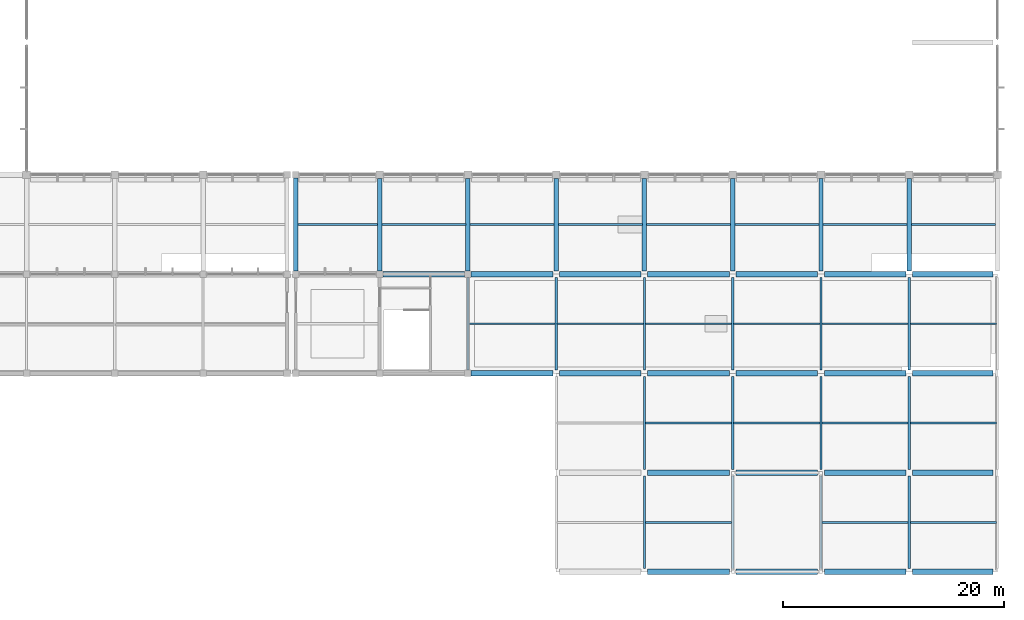
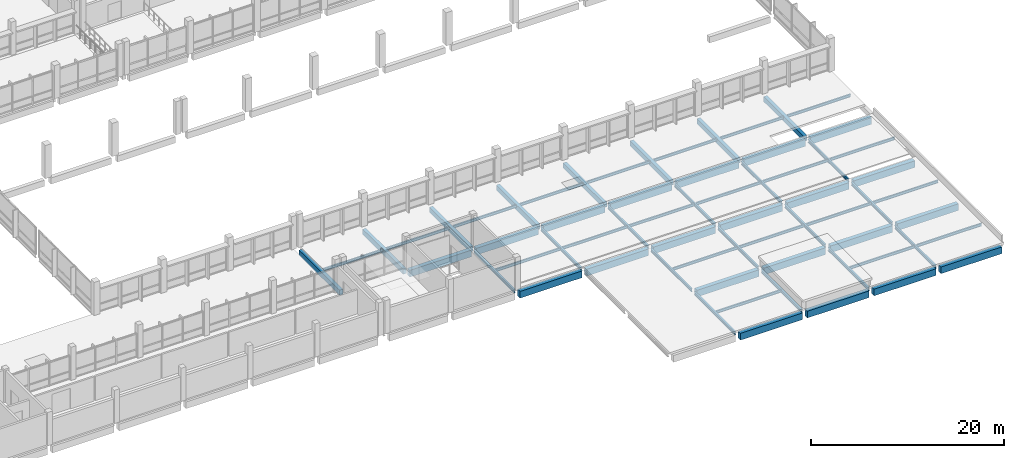
# One storey, part 31 of 70: 64 beams.
"""IFC4 building model written with IfcOpenShell, lengths in metres."""

from ifc_helpers import new_model, si_unit, direction, frame, origin, origin_2d, place, context, subcontext, project, spatial, rectangle, i_section, extrude, material, material_profile, profile_set, type_object, element, save


model = new_model("IFC4")

# Units and contexts
model_context = context("Model", 3, precision=1e-05, world=origin(), true_north=direction((0.0, 1.0)))
body_context = subcontext(model_context, "Body", "Model", "MODEL_VIEW")
ifc_project = project(units=[si_unit("LENGTHUNIT", "METRE"), si_unit("AREAUNIT", "SQUARE_METRE"), si_unit("VOLUMEUNIT", "CUBIC_METRE"), si_unit("PLANEANGLEUNIT", "RADIAN"), si_unit("MASSUNIT", "GRAM", prefix="KILO"), si_unit("THERMODYNAMICTEMPERATUREUNIT", "KELVIN"), si_unit("POWERUNIT", "WATT")], contexts=[model_context])

# Site, building, storey
site_placement = place(None, origin())
site = spatial("IfcSite", under=ifc_project, at=site_placement, CompositionType="ELEMENT")
building_placement = place(site_placement, origin())
building = spatial("IfcBuilding", under=site, at=building_placement, Name="Kronsvod Quay Wholesale Market", CompositionType="ELEMENT")
storey_placement = place(building_placement, frame((0.0, 0.0, 9.0)))
storey = spatial("IfcBuildingStorey", under=building, at=storey_placement, Name="L02", CompositionType="ELEMENT", Elevation=9.0)

# Beams
ifc_material_1 = material(Name="Precast concrete C40/50", Category="concrete")
ifc_material_profile_1 = material_profile(ifc_material_1, rectangle(XDim=0.39990234375, YDim=0.64990234375, at=origin_2d()), Name="PCB400x650")
ifc_profile_set_1 = profile_set([ifc_material_profile_1], Name="Precast concrete C40/50")
beam_type_1 = type_object("IfcBeamType", Name="Beam_PCB400x650", PredefinedType="BEAM", material=ifc_profile_set_1)
beam_1_placement = place(storey_placement, frame((128.39990234375, 45.300048828125, -0.635009765625), z_axis=(0.0, 1.0, 0.0), x_axis=(-1.0, 0.0, 0.0)))
element("IfcBeam", 1, at=beam_1_placement, inside=storey, type_object=beam_type_1, Name="BMY-L02-1284-450", PredefinedType="BEAM", context=body_context, shape_type="SweptSolid", body=[
    extrude(rectangle(XDim=0.39990234375, YDim=0.64990234375, at=origin_2d()), origin(), (0.0, 0.0, 1.0), 8.39990234375),
])
for number, where, z_axis, x_axis, name in (
    (2, (136.0, 45.300048828125, -0.635009765625), (0.0, 1.0, 0.0), (-1.0, 0.0, 0.0), "BMY-L02-1360-450"),
    (3, (144.0, 45.300048828125, -0.635009765625), (0.0, 1.0, 0.0), (-1.0, 0.0, 0.0), "BMY-L02-1440-450"),
    (4, (152.0, 45.300048828125, -0.635009765625), (0.0, 1.0, 0.0), (-1.0, 0.0, 0.0), "BMY-L02-1520-450"),
    (5, (160.0, 45.300048828125, -0.635009765625), (0.0, 1.0, 0.0), (-1.0, 0.0, 0.0), "BMY-L02-1600-450"),
    (6, (168.0, 45.300048828125, -0.635009765625), (0.0, 1.0, 0.0), (-1.0, 0.0, 0.0), "BMY-L02-1680-450"),
    (7, (176.0, 45.300048828125, -0.635009765625), (0.0, 1.0, 0.0), (-1.0, 0.0, 0.0), "BMY-L02-1760-450"),
    (8, (184.0, 45.300048828125, -0.635009765625), (0.0, 1.0, 0.0), (-1.0, 0.0, 0.0), "BMY-L02-1840-450"),
):
    element("IfcBeam", number, at=place(storey_placement, frame(where, z_axis=z_axis, x_axis=x_axis)), inside=storey, type_object=beam_type_1, Name=name, PredefinedType="BEAM", context=body_context, shape_type="SweptSolid", body=[
        extrude(rectangle(XDim=0.39990234375, YDim=0.64990234375, at=origin_2d()), origin(), (0.0, 0.0, 1.0), 8.349853515625),
    ])
ifc_material_2 = material(Name="Steel S355", Category="steel")
ifc_material_profile_2 = material_profile(ifc_material_2, i_section(OverallWidth=0.199951171875, OverallDepth=0.39990234375, WebThickness=0.008056640625, FlangeThickness=0.012939453125, FilletRadius=0.01611328125, at=origin_2d()), Name="40B2")
ifc_profile_set_2 = profile_set([ifc_material_profile_2], Name="Steel S355")
beam_type_2 = type_object("IfcBeamType", Name="Beam_Steel40B2", PredefinedType="BEAM", material=ifc_profile_set_2)
for number, where, z_axis, x_axis, name in (
    (9, (144.0, 36.300048828125, -0.510009765625), (0.0, 1.0, 0.0), (-1.0, 0.0, 0.0), "BMY-L02-1440-360"),
    (10, (152.0, 36.300048828125, -0.510009765625), (0.0, 1.0, 0.0), (-1.0, 0.0, 0.0), "BMY-L02-1520-360"),
    (11, (160.0, 18.300048828125, -0.510009765625), (0.0, 1.0, 0.0), (-1.0, 0.0, 0.0), "BMY-L02-1600-180"),
    (12, (160.0, 27.300048828125, -0.510009765625), (0.0, 1.0, 0.0), (-1.0, 0.0, 0.0), "BMY-L02-1600-270"),
    (13, (160.0, 36.300048828125, -0.510009765625), (0.0, 1.0, 0.0), (-1.0, 0.0, 0.0), "BMY-L02-1600-360"),
    (14, (168.0, 18.300048828125, -0.510009765625), (0.0, 1.0, 0.0), (-1.0, 0.0, 0.0), "BMY-L02-1680-180"),
    (15, (168.0, 27.300048828125, -0.510009765625), (0.0, 1.0, 0.0), (-1.0, 0.0, 0.0), "BMY-L02-1680-270"),
    (16, (168.0, 36.300048828125, -0.510009765625), (0.0, 1.0, 0.0), (-1.0, 0.0, 0.0), "BMY-L02-1680-360"),
    (17, (176.0, 18.300048828125, -0.510009765625), (0.0, 1.0, 0.0), (-1.0, 0.0, 0.0), "BMY-L02-1760-180"),
    (18, (176.0, 27.300048828125, -0.510009765625), (0.0, 1.0, 0.0), (-1.0, 0.0, 0.0), "BMY-L02-1760-270"),
    (19, (176.0, 36.300048828125, -0.510009765625), (0.0, 1.0, 0.0), (-1.0, 0.0, 0.0), "BMY-L02-1760-360"),
    (20, (184.0, 18.300048828125, -0.510009765625), (0.0, 1.0, 0.0), (-1.0, 0.0, 0.0), "BMY-L02-1840-180"),
    (21, (184.0, 27.300048828125, -0.510009765625), (0.0, 1.0, 0.0), (-1.0, 0.0, 0.0), "BMY-L02-1840-270"),
    (22, (184.0, 36.300048828125, -0.510009765625), (0.0, 1.0, 0.0), (-1.0, 0.0, 0.0), "BMY-L02-1840-360"),
):
    element("IfcBeam", number, at=place(storey_placement, frame(where, z_axis=z_axis, x_axis=x_axis)), inside=storey, type_object=beam_type_2, Name=name, PredefinedType="BEAM", context=body_context, shape_type="SweptSolid", body=[
        extrude(i_section(OverallWidth=0.199951171875, OverallDepth=0.39990234375, WebThickness=0.008056640625, FlangeThickness=0.012939453125, FilletRadius=0.01611328125, at=origin_2d()), origin(), (0.0, 0.0, 1.0), 8.39990234375),
    ])
ifc_material_3 = material(Name="Precast concrete C40/50", Category="concrete")
ifc_material_profile_3 = material_profile(ifc_material_3, rectangle(XDim=0.5, YDim=0.85009765625, at=origin_2d()), Name="PCB500x850")
ifc_profile_set_3 = profile_set([ifc_material_profile_3], Name="Precast concrete C40/50")
beam_type_3 = type_object("IfcBeamType", Name="Girder_PCB500x850", PredefinedType="T_BEAM", material=ifc_profile_set_3)
for number, where, z_axis, x_axis, name in (
    (23, (160.300048828125, 18.0, -0.735107421875), (1.0, 0.0, 0.0), (0.0, 1.0, 0.0), "BMX-L02-1600-180"),
    (24, (168.300048828125, 18.0, -0.735107421875), (1.0, 0.0, 0.0), (0.0, 1.0, 0.0), "BMX-L02-1680-180"),
    (25, (176.300048828125, 18.0, -0.735107421875), (1.0, 0.0, 0.0), (0.0, 1.0, 0.0), "BMX-L02-1760-180"),
):
    element("IfcBeam", number, at=place(storey_placement, frame(where, z_axis=z_axis, x_axis=x_axis)), inside=storey, type_object=beam_type_3, Name=name, PredefinedType="T_BEAM", context=body_context, shape_type="SweptSolid", body=[
        extrude(rectangle(XDim=0.5, YDim=0.85009765625, at=origin_2d()), origin(), (0.0, 0.0, 1.0), 7.39990234375),
    ])
beam_2_placement = place(storey_placement, frame((184.300048828125, 18.0, -0.735107421875), z_axis=(1.0, 0.0, 0.0), x_axis=(0.0, 1.0, 0.0)))
element("IfcBeam", 26, at=beam_2_placement, inside=storey, type_object=beam_type_3, Name="BMX-L02-1840-180", PredefinedType="T_BEAM", context=body_context, shape_type="SweptSolid", body=[
    extrude(rectangle(XDim=0.5, YDim=0.85009765625, at=origin_2d()), origin(), (0.0, 0.0, 1.0), 7.300048828125),
])
for number, where, z_axis, x_axis, name in (
    (27, (160.300048828125, 27.0, -0.735107421875), (1.0, 0.0, 0.0), (0.0, 1.0, 0.0), "BMX-L02-1600-270"),
    (28, (168.300048828125, 27.0, -0.735107421875), (1.0, 0.0, 0.0), (0.0, 1.0, 0.0), "BMX-L02-1680-270"),
    (29, (176.300048828125, 27.0, -0.735107421875), (1.0, 0.0, 0.0), (0.0, 1.0, 0.0), "BMX-L02-1760-270"),
):
    element("IfcBeam", number, at=place(storey_placement, frame(where, z_axis=z_axis, x_axis=x_axis)), inside=storey, type_object=beam_type_3, Name=name, PredefinedType="T_BEAM", context=body_context, shape_type="SweptSolid", body=[
        extrude(rectangle(XDim=0.5, YDim=0.85009765625, at=origin_2d()), origin(), (0.0, 0.0, 1.0), 7.39990234375),
    ])
beam_3_placement = place(storey_placement, frame((184.300048828125, 27.0, -0.735107421875), z_axis=(1.0, 0.0, 0.0), x_axis=(0.0, 1.0, 0.0)))
element("IfcBeam", 30, at=beam_3_placement, inside=storey, type_object=beam_type_3, Name="BMX-L02-1840-270", PredefinedType="T_BEAM", context=body_context, shape_type="SweptSolid", body=[
    extrude(rectangle(XDim=0.5, YDim=0.85009765625, at=origin_2d()), origin(), (0.0, 0.0, 1.0), 7.300048828125),
])
for number, where, z_axis, x_axis, name in (
    (31, (144.300048828125, 36.0, -0.735107421875), (1.0, 0.0, 0.0), (0.0, 1.0, 0.0), "BMX-L02-1440-360"),
    (32, (152.300048828125, 36.0, -0.735107421875), (1.0, 0.0, 0.0), (0.0, 1.0, 0.0), "BMX-L02-1520-360"),
    (33, (160.300048828125, 36.0, -0.735107421875), (1.0, 0.0, 0.0), (0.0, 1.0, 0.0), "BMX-L02-1600-360"),
    (34, (168.300048828125, 36.0, -0.735107421875), (1.0, 0.0, 0.0), (0.0, 1.0, 0.0), "BMX-L02-1680-360"),
    (35, (176.300048828125, 36.0, -0.735107421875), (1.0, 0.0, 0.0), (0.0, 1.0, 0.0), "BMX-L02-1760-360"),
):
    element("IfcBeam", number, at=place(storey_placement, frame(where, z_axis=z_axis, x_axis=x_axis)), inside=storey, type_object=beam_type_3, Name=name, PredefinedType="T_BEAM", context=body_context, shape_type="SweptSolid", body=[
        extrude(rectangle(XDim=0.5, YDim=0.85009765625, at=origin_2d()), origin(), (0.0, 0.0, 1.0), 7.39990234375),
    ])
beam_4_placement = place(storey_placement, frame((184.300048828125, 36.0, -0.735107421875), z_axis=(1.0, 0.0, 0.0), x_axis=(0.0, 1.0, 0.0)))
element("IfcBeam", 36, at=beam_4_placement, inside=storey, type_object=beam_type_3, Name="BMX-L02-1840-360", PredefinedType="T_BEAM", context=body_context, shape_type="SweptSolid", body=[
    extrude(rectangle(XDim=0.5, YDim=0.85009765625, at=origin_2d()), origin(), (0.0, 0.0, 1.0), 7.300048828125),
])
for number, where, z_axis, x_axis, name in (
    (37, (136.300048828125, 45.0, -0.735107421875), (1.0, 0.0, 0.0), (0.0, 1.0, 0.0), "BMX-L02-1360-450"),
    (38, (144.300048828125, 45.0, -0.735107421875), (1.0, 0.0, 0.0), (0.0, 1.0, 0.0), "BMX-L02-1440-450"),
    (39, (152.300048828125, 45.0, -0.735107421875), (1.0, 0.0, 0.0), (0.0, 1.0, 0.0), "BMX-L02-1520-450"),
    (40, (160.300048828125, 45.0, -0.735107421875), (1.0, 0.0, 0.0), (0.0, 1.0, 0.0), "BMX-L02-1600-450"),
    (41, (168.300048828125, 45.0, -0.735107421875), (1.0, 0.0, 0.0), (0.0, 1.0, 0.0), "BMX-L02-1680-450"),
    (42, (176.300048828125, 45.0, -0.735107421875), (1.0, 0.0, 0.0), (0.0, 1.0, 0.0), "BMX-L02-1760-450"),
):
    element("IfcBeam", number, at=place(storey_placement, frame(where, z_axis=z_axis, x_axis=x_axis)), inside=storey, type_object=beam_type_3, Name=name, PredefinedType="T_BEAM", context=body_context, shape_type="SweptSolid", body=[
        extrude(rectangle(XDim=0.5, YDim=0.85009765625, at=origin_2d()), origin(), (0.0, 0.0, 1.0), 7.39990234375),
    ])
beam_5_placement = place(storey_placement, frame((184.300048828125, 45.0, -0.735107421875), z_axis=(1.0, 0.0, 0.0), x_axis=(0.0, 1.0, 0.0)))
element("IfcBeam", 43, at=beam_5_placement, inside=storey, type_object=beam_type_3, Name="BMX-L02-1840-450", PredefinedType="T_BEAM", context=body_context, shape_type="SweptSolid", body=[
    extrude(rectangle(XDim=0.5, YDim=0.85009765625, at=origin_2d()), origin(), (0.0, 0.0, 1.0), 7.300048828125),
])
ifc_material_4 = material(Name="Steel S355", Category="steel")
ifc_material_profile_4 = material_profile(ifc_material_4, i_section(OverallWidth=0.174072265625, OverallDepth=0.345947265625, WebThickness=0.006103515625, FlangeThickness=0.009033203125, FilletRadius=0.013916015625, at=origin_2d()), Name="35B1")
ifc_profile_set_4 = profile_set([ifc_material_profile_4], Name="Steel S355")
beam_type_4 = type_object("IfcBeamType", Name="Joist_Steel35B1", PredefinedType="JOIST", material=ifc_profile_set_4)
beam_6_placement = place(storey_placement, frame((128.594970703125, 49.5, -0.43310546875), z_axis=(1.0, 0.0, 0.0), x_axis=(0.0, 1.0, 0.0)))
element("IfcBeam", 44, at=beam_6_placement, inside=storey, type_object=beam_type_4, Name="JSTX-L02-1284-450", PredefinedType="JOIST", context=body_context, shape_type="SweptSolid", body=[
    extrude(i_section(OverallWidth=0.174072265625, OverallDepth=0.345947265625, WebThickness=0.006103515625, FlangeThickness=0.009033203125, FilletRadius=0.013916015625, at=origin_2d()), origin(), (0.0, 0.0, 1.0), 7.2099609375),
])
beam_7_placement = place(storey_placement, frame((136.195068359375, 49.5, -0.43310546875), z_axis=(1.0, 0.0, 0.0), x_axis=(0.0, 1.0, 0.0)))
element("IfcBeam", 45, at=beam_7_placement, inside=storey, type_object=beam_type_4, Name="JSTX-L02-1360-450", PredefinedType="JOIST", context=body_context, shape_type="SweptSolid", body=[
    extrude(i_section(OverallWidth=0.174072265625, OverallDepth=0.345947265625, WebThickness=0.006103515625, FlangeThickness=0.009033203125, FilletRadius=0.013916015625, at=origin_2d()), origin(), (0.0, 0.0, 1.0), 7.60986328125),
])
beam_8_placement = place(storey_placement, frame((144.094970703125, 40.5, -0.43310546875), z_axis=(1.0, 0.0, 0.0), x_axis=(0.0, 1.0, 0.0)))
element("IfcBeam", 46, at=beam_8_placement, inside=storey, type_object=beam_type_4, Name="JSTX-L02-1440-360", PredefinedType="JOIST", context=body_context, shape_type="SweptSolid", body=[
    extrude(i_section(OverallWidth=0.174072265625, OverallDepth=0.345947265625, WebThickness=0.006103515625, FlangeThickness=0.009033203125, FilletRadius=0.013916015625, at=origin_2d()), origin(), (0.0, 0.0, 1.0), 7.81005859375),
])
beam_9_placement = place(storey_placement, frame((144.195068359375, 49.5, -0.43310546875), z_axis=(1.0, 0.0, 0.0), x_axis=(0.0, 1.0, 0.0)))
element("IfcBeam", 47, at=beam_9_placement, inside=storey, type_object=beam_type_4, Name="JSTX-L02-1440-450", PredefinedType="JOIST", context=body_context, shape_type="SweptSolid", body=[
    extrude(i_section(OverallWidth=0.174072265625, OverallDepth=0.345947265625, WebThickness=0.006103515625, FlangeThickness=0.009033203125, FilletRadius=0.013916015625, at=origin_2d()), origin(), (0.0, 0.0, 1.0), 7.60986328125),
])
beam_10_placement = place(storey_placement, frame((152.094970703125, 40.5, -0.43310546875), z_axis=(1.0, 0.0, 0.0), x_axis=(0.0, 1.0, 0.0)))
element("IfcBeam", 48, at=beam_10_placement, inside=storey, type_object=beam_type_4, Name="JSTX-L02-1520-360", PredefinedType="JOIST", context=body_context, shape_type="SweptSolid", body=[
    extrude(i_section(OverallWidth=0.174072265625, OverallDepth=0.345947265625, WebThickness=0.006103515625, FlangeThickness=0.009033203125, FilletRadius=0.013916015625, at=origin_2d()), origin(), (0.0, 0.0, 1.0), 7.81005859375),
])
beam_11_placement = place(storey_placement, frame((152.195068359375, 49.5, -0.43310546875), z_axis=(1.0, 0.0, 0.0), x_axis=(0.0, 1.0, 0.0)))
element("IfcBeam", 49, at=beam_11_placement, inside=storey, type_object=beam_type_4, Name="JSTX-L02-1520-450", PredefinedType="JOIST", context=body_context, shape_type="SweptSolid", body=[
    extrude(i_section(OverallWidth=0.174072265625, OverallDepth=0.345947265625, WebThickness=0.006103515625, FlangeThickness=0.009033203125, FilletRadius=0.013916015625, at=origin_2d()), origin(), (0.0, 0.0, 1.0), 7.60986328125),
])
for number, where, z_axis, x_axis, name in (
    (50, (160.094970703125, 22.5, -0.43310546875), (1.0, 0.0, 0.0), (0.0, 1.0, 0.0), "JSTX-L02-1600-180"),
    (51, (160.094970703125, 31.5, -0.43310546875), (1.0, 0.0, 0.0), (0.0, 1.0, 0.0), "JSTX-L02-1600-270"),
    (52, (160.094970703125, 40.5, -0.43310546875), (1.0, 0.0, 0.0), (0.0, 1.0, 0.0), "JSTX-L02-1600-360"),
):
    element("IfcBeam", number, at=place(storey_placement, frame(where, z_axis=z_axis, x_axis=x_axis)), inside=storey, type_object=beam_type_4, Name=name, PredefinedType="JOIST", context=body_context, shape_type="SweptSolid", body=[
        extrude(i_section(OverallWidth=0.174072265625, OverallDepth=0.345947265625, WebThickness=0.006103515625, FlangeThickness=0.009033203125, FilletRadius=0.013916015625, at=origin_2d()), origin(), (0.0, 0.0, 1.0), 7.81005859375),
    ])
beam_12_placement = place(storey_placement, frame((160.195068359375, 49.5, -0.43310546875), z_axis=(1.0, 0.0, 0.0), x_axis=(0.0, 1.0, 0.0)))
element("IfcBeam", 53, at=beam_12_placement, inside=storey, type_object=beam_type_4, Name="JSTX-L02-1600-450", PredefinedType="JOIST", context=body_context, shape_type="SweptSolid", body=[
    extrude(i_section(OverallWidth=0.174072265625, OverallDepth=0.345947265625, WebThickness=0.006103515625, FlangeThickness=0.009033203125, FilletRadius=0.013916015625, at=origin_2d()), origin(), (0.0, 0.0, 1.0), 7.60986328125),
])
for number, where, z_axis, x_axis, name in (
    (54, (168.094970703125, 31.5, -0.43310546875), (1.0, 0.0, 0.0), (0.0, 1.0, 0.0), "JSTX-L02-1680-270"),
    (55, (168.094970703125, 40.5, -0.43310546875), (1.0, 0.0, 0.0), (0.0, 1.0, 0.0), "JSTX-L02-1680-360"),
):
    element("IfcBeam", number, at=place(storey_placement, frame(where, z_axis=z_axis, x_axis=x_axis)), inside=storey, type_object=beam_type_4, Name=name, PredefinedType="JOIST", context=body_context, shape_type="SweptSolid", body=[
        extrude(i_section(OverallWidth=0.174072265625, OverallDepth=0.345947265625, WebThickness=0.006103515625, FlangeThickness=0.009033203125, FilletRadius=0.013916015625, at=origin_2d()), origin(), (0.0, 0.0, 1.0), 7.81005859375),
    ])
beam_13_placement = place(storey_placement, frame((168.195068359375, 49.5, -0.43310546875), z_axis=(1.0, 0.0, 0.0), x_axis=(0.0, 1.0, 0.0)))
element("IfcBeam", 56, at=beam_13_placement, inside=storey, type_object=beam_type_4, Name="JSTX-L02-1680-450", PredefinedType="JOIST", context=body_context, shape_type="SweptSolid", body=[
    extrude(i_section(OverallWidth=0.174072265625, OverallDepth=0.345947265625, WebThickness=0.006103515625, FlangeThickness=0.009033203125, FilletRadius=0.013916015625, at=origin_2d()), origin(), (0.0, 0.0, 1.0), 7.60986328125),
])
for number, where, z_axis, x_axis, name in (
    (57, (176.094970703125, 22.5, -0.43310546875), (1.0, 0.0, 0.0), (0.0, 1.0, 0.0), "JSTX-L02-1760-180"),
    (58, (176.094970703125, 31.5, -0.43310546875), (1.0, 0.0, 0.0), (0.0, 1.0, 0.0), "JSTX-L02-1760-270"),
    (59, (176.094970703125, 40.5, -0.43310546875), (1.0, 0.0, 0.0), (0.0, 1.0, 0.0), "JSTX-L02-1760-360"),
):
    element("IfcBeam", number, at=place(storey_placement, frame(where, z_axis=z_axis, x_axis=x_axis)), inside=storey, type_object=beam_type_4, Name=name, PredefinedType="JOIST", context=body_context, shape_type="SweptSolid", body=[
        extrude(i_section(OverallWidth=0.174072265625, OverallDepth=0.345947265625, WebThickness=0.006103515625, FlangeThickness=0.009033203125, FilletRadius=0.013916015625, at=origin_2d()), origin(), (0.0, 0.0, 1.0), 7.81005859375),
    ])
beam_14_placement = place(storey_placement, frame((176.195068359375, 49.5, -0.43310546875), z_axis=(1.0, 0.0, 0.0), x_axis=(0.0, 1.0, 0.0)))
element("IfcBeam", 60, at=beam_14_placement, inside=storey, type_object=beam_type_4, Name="JSTX-L02-1760-450", PredefinedType="JOIST", context=body_context, shape_type="SweptSolid", body=[
    extrude(i_section(OverallWidth=0.174072265625, OverallDepth=0.345947265625, WebThickness=0.006103515625, FlangeThickness=0.009033203125, FilletRadius=0.013916015625, at=origin_2d()), origin(), (0.0, 0.0, 1.0), 7.60986328125),
])
for number, where, z_axis, x_axis, name in (
    (61, (184.094970703125, 22.5, -0.43310546875), (1.0, 0.0, 0.0), (0.0, 1.0, 0.0), "JSTX-L02-1840-180"),
    (62, (184.094970703125, 31.5, -0.43310546875), (1.0, 0.0, 0.0), (0.0, 1.0, 0.0), "JSTX-L02-1840-270"),
    (63, (184.094970703125, 40.5, -0.43310546875), (1.0, 0.0, 0.0), (0.0, 1.0, 0.0), "JSTX-L02-1840-360"),
):
    element("IfcBeam", number, at=place(storey_placement, frame(where, z_axis=z_axis, x_axis=x_axis)), inside=storey, type_object=beam_type_4, Name=name, PredefinedType="JOIST", context=body_context, shape_type="SweptSolid", body=[
        extrude(i_section(OverallWidth=0.174072265625, OverallDepth=0.345947265625, WebThickness=0.006103515625, FlangeThickness=0.009033203125, FilletRadius=0.013916015625, at=origin_2d()), origin(), (0.0, 0.0, 1.0), 7.81005859375),
    ])
beam_15_placement = place(storey_placement, frame((184.195068359375, 49.5, -0.43310546875), z_axis=(1.0, 0.0, 0.0), x_axis=(0.0, 1.0, 0.0)))
element("IfcBeam", 64, at=beam_15_placement, inside=storey, type_object=beam_type_4, Name="JSTX-L02-1840-450", PredefinedType="JOIST", context=body_context, shape_type="SweptSolid", body=[
    extrude(i_section(OverallWidth=0.174072265625, OverallDepth=0.345947265625, WebThickness=0.006103515625, FlangeThickness=0.009033203125, FilletRadius=0.013916015625, at=origin_2d()), origin(), (0.0, 0.0, 1.0), 7.60986328125),
])

save(model, "model.ifc")
